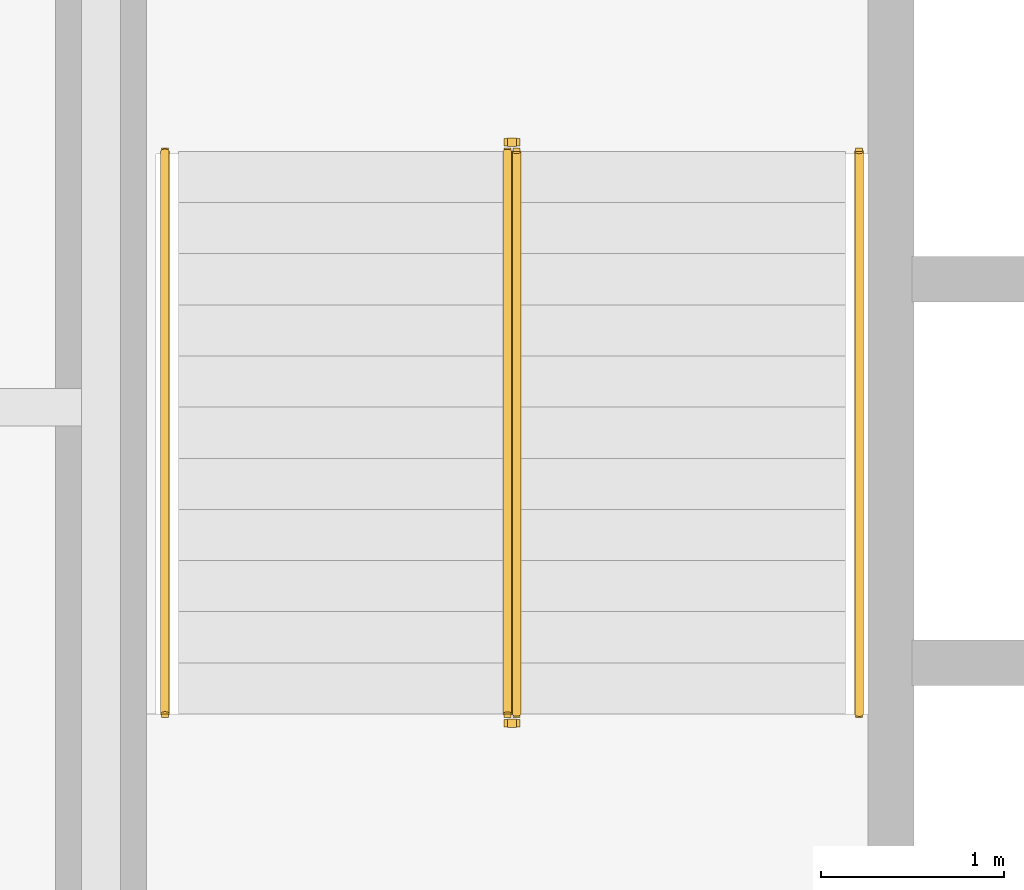
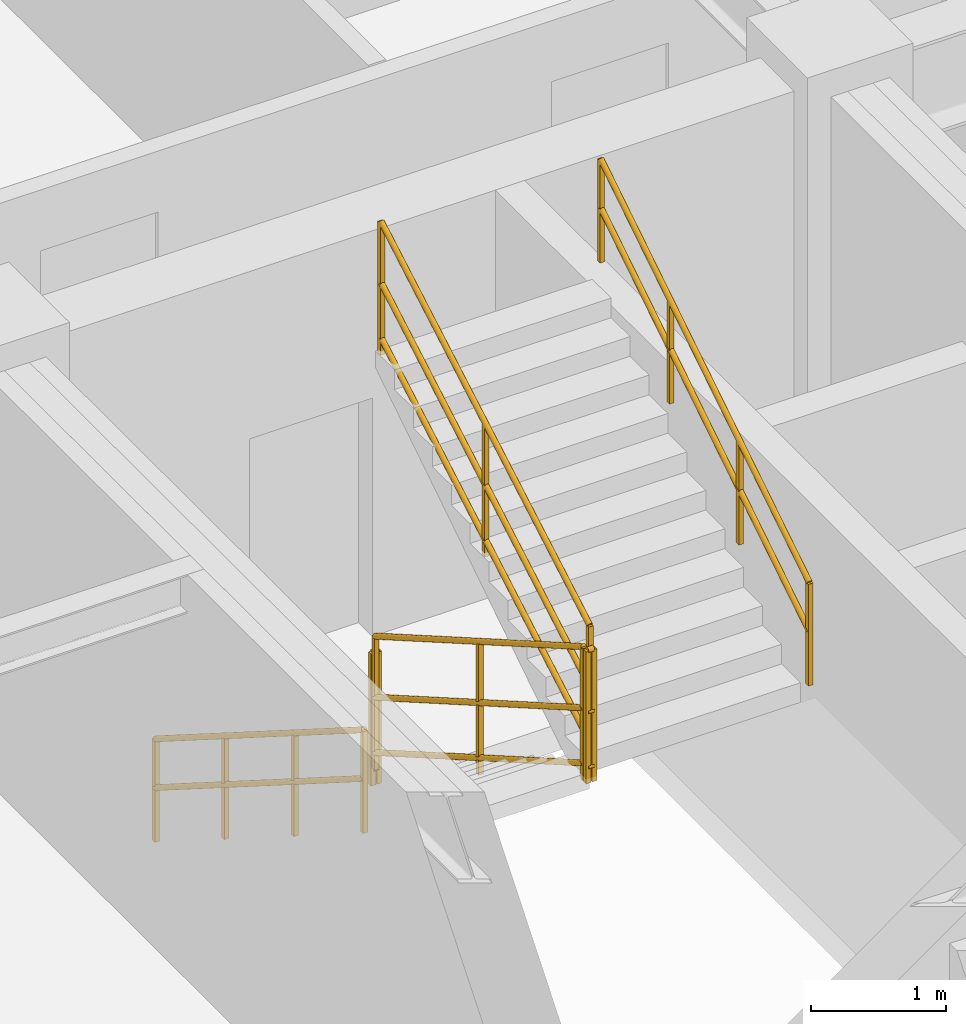
# One storey, part 11 of 11: 6 railings.
"""IFC4 building model written with IfcOpenShell, lengths in metres."""

from ifc_helpers import new_model, entity, si_unit, converted_unit, direction, frame, origin_with_axes, origin_2d_with_axis, place, context, subcontext, project, spatial, rectangle, circle, extrude, material, type_object, element, save


model = new_model("IFC4")

# Units and contexts
model_context = context("Model", 3, precision=1e-05, world=origin_with_axes(), true_north=direction((0.0, 1.0)))
body_context = subcontext(model_context, "Body", "Model", "MODEL_VIEW")
ifc_project = project(units=[si_unit("LENGTHUNIT", "METRE"), si_unit("AREAUNIT", "SQUARE_METRE"), si_unit("VOLUMEUNIT", "CUBIC_METRE"), converted_unit("PLANEANGLEUNIT", "DEGREE", entity("IfcPlaneAngleMeasure", 0.017453292519943295), si_unit("PLANEANGLEUNIT", "RADIAN"), dimensions=[0, 0, 0, 0, 0, 0, 0]), si_unit("MASSUNIT", "GRAM", prefix="KILO"), si_unit("THERMODYNAMICTEMPERATUREUNIT", "KELVIN")], contexts=[model_context])

# Site, building, storey
site_placement = place(None, origin_with_axes())
site = spatial("IfcSite", under=ifc_project, at=site_placement, CompositionType="ELEMENT")
building_placement = place(site_placement, origin_with_axes())
building = spatial("IfcBuilding", under=site, at=building_placement, Name="Varnlund Millrace Tower", CompositionType="ELEMENT")
storey_placement = place(building_placement, frame((0.0, 0.0, 192.6), z_axis=(0.0, 0.0, 1.0), x_axis=(1.0, 0.0, 0.0)))
storey = spatial("IfcBuildingStorey", under=building, at=storey_placement, Name="L47", CompositionType="ELEMENT", Elevation=192.6)

# Railings
ifc_material_1 = material(Name="Painted steel stair well balustrade guard", Category="steel")
railing_type_1 = type_object("IfcRailingType", Name="Type-StairGuard-1150", PredefinedType="GUARDRAIL", material=ifc_material_1)
railing_1_placement = place(storey_placement, frame((0.0, 0.0, -192.6), z_axis=(0.0, 0.0, 1.0), x_axis=(1.0, 0.0, 0.0)))
element("IfcRailing", 1, at=railing_1_placement, inside=storey, type_object=railing_type_1, Name="Type-StairGuard-1150", PredefinedType="GUARDRAIL", context=body_context, shape_type="SweptSolid", body=[
    extrude(circle(Radius=0.024, at=origin_2d_with_axis()), frame((13.625, 35.9, 193.927273), z_axis=(0.0, -0.866696, 0.498836), x_axis=(1.0, 0.0, 0.0)), (0.0, 0.0, 1.0), 3.553725),
    extrude(circle(Radius=0.024, at=origin_2d_with_axis()), frame((13.625, 35.9, 192.877273), z_axis=(0.0, -0.866696, 0.498836), x_axis=(1.0, 0.0, 0.0)), (0.0, 0.0, 1.0), 3.553725),
    extrude(circle(Radius=0.024, at=origin_2d_with_axis()), frame((13.625, 35.9, 193.375273), z_axis=(0.0, -0.866696, 0.498836), x_axis=(1.0, 0.0, 0.0)), (0.0, 0.0, 1.0), 3.553725),
    extrude(rectangle(XDim=0.04, YDim=0.04, at=origin_2d_with_axis()), frame((13.625, 35.9, 192.737273), z_axis=(0.0, 0.0, 1.0), x_axis=(1.0, 0.0, 0.0)), (0.0, 0.0, 1.0), 1.19),
    extrude(rectangle(XDim=0.04, YDim=0.04, at=origin_2d_with_axis()), frame((13.625, 34.36, 193.623636), z_axis=(0.0, 0.0, 1.0), x_axis=(1.0, 0.0, 0.0)), (0.0, 0.0, 1.0), 1.19),
    extrude(rectangle(XDim=0.04, YDim=0.04, at=origin_2d_with_axis()), frame((13.625, 32.82, 194.51), z_axis=(0.0, 0.0, 1.0), x_axis=(1.0, 0.0, 0.0)), (0.0, 0.0, 1.0), 1.19),
])
railing_2_placement = place(storey_placement, frame((0.0, 0.0, -192.6), z_axis=(0.0, 0.0, 1.0), x_axis=(1.0, 0.0, 0.0)))
element("IfcRailing", 2, at=railing_2_placement, inside=storey, type_object=railing_type_1, Name="Type-StairGuard-1150", PredefinedType="GUARDRAIL", context=body_context, shape_type="SweptSolid", body=[
    extrude(circle(Radius=0.024, at=origin_2d_with_axis()), frame((13.675, 32.77, 195.7), z_axis=(-1.0, 0.0, 0.0), x_axis=(0.0, -1.0, 0.0)), (0.0, 0.0, 1.0), 0.05),
    extrude(circle(Radius=0.024, at=origin_2d_with_axis()), frame((13.675, 32.77, 194.65), z_axis=(-1.0, 0.0, 0.0), x_axis=(0.0, -1.0, 0.0)), (0.0, 0.0, 1.0), 0.05),
    extrude(circle(Radius=0.024, at=origin_2d_with_axis()), frame((13.675, 32.77, 195.148), z_axis=(-1.0, 0.0, 0.0), x_axis=(0.0, -1.0, 0.0)), (0.0, 0.0, 1.0), 0.05),
    extrude(rectangle(XDim=0.04, YDim=0.04, at=origin_2d_with_axis()), frame((13.675, 32.77, 194.51), z_axis=(0.0, 0.0, 1.0), x_axis=(1.0, 0.0, 0.0)), (0.0, 0.0, 1.0), 1.19),
    extrude(rectangle(XDim=0.04, YDim=0.04, at=origin_2d_with_axis()), frame((13.625, 32.77, 194.51), z_axis=(0.0, 0.0, 1.0), x_axis=(1.0, 0.0, 0.0)), (0.0, 0.0, 1.0), 1.19),
])
railing_3_placement = place(storey_placement, frame((0.0, 0.0, -192.6), z_axis=(0.0, 0.0, 1.0), x_axis=(1.0, 0.0, 0.0)))
element("IfcRailing", 3, at=railing_3_placement, inside=storey, type_object=railing_type_1, Name="Type-StairGuard-1150", PredefinedType="GUARDRAIL", context=body_context, shape_type="SweptSolid", body=[
    extrude(circle(Radius=0.024, at=origin_2d_with_axis()), frame((13.675, 32.82, 195.877273), z_axis=(0.0, 0.866696, 0.498836), x_axis=(-1.0, 0.0, 0.0)), (0.0, 0.0, 1.0), 3.553725),
    extrude(circle(Radius=0.024, at=origin_2d_with_axis()), frame((13.675, 32.82, 194.827273), z_axis=(0.0, 0.866696, 0.498836), x_axis=(-1.0, 0.0, 0.0)), (0.0, 0.0, 1.0), 3.553725),
    extrude(circle(Radius=0.024, at=origin_2d_with_axis()), frame((13.675, 32.82, 195.325273), z_axis=(0.0, 0.866696, 0.498836), x_axis=(-1.0, 0.0, 0.0)), (0.0, 0.0, 1.0), 3.553725),
    extrude(rectangle(XDim=0.04, YDim=0.04, at=origin_2d_with_axis()), frame((13.675, 32.82, 194.687273), z_axis=(0.0, 0.0, 1.0), x_axis=(1.0, 0.0, 0.0)), (0.0, 0.0, 1.0), 1.19),
    extrude(rectangle(XDim=0.04, YDim=0.04, at=origin_2d_with_axis()), frame((13.675, 34.36, 195.573636), z_axis=(0.0, 0.0, 1.0), x_axis=(1.0, 0.0, 0.0)), (0.0, 0.0, 1.0), 1.19),
    extrude(rectangle(XDim=0.04, YDim=0.04, at=origin_2d_with_axis()), frame((13.675, 35.9, 196.46), z_axis=(0.0, 0.0, 1.0), x_axis=(1.0, 0.0, 0.0)), (0.0, 0.0, 1.0), 1.19),
])
railing_4_placement = place(storey_placement, frame((0.0, 0.0, -192.6), z_axis=(0.0, 0.0, 1.0), x_axis=(1.0, 0.0, 0.0)))
element("IfcRailing", 4, at=railing_4_placement, inside=storey, type_object=railing_type_1, Name="Type-StairGuard-1150", PredefinedType="GUARDRAIL", context=body_context, shape_type="SweptSolid", body=[
    extrude(circle(Radius=0.024, at=origin_2d_with_axis()), frame((13.675, 35.95, 193.75), z_axis=(-1.0, 0.0, 0.0), x_axis=(0.0, -1.0, 0.0)), (0.0, 0.0, 1.0), 0.05),
    extrude(circle(Radius=0.024, at=origin_2d_with_axis()), frame((13.675, 35.95, 192.7), z_axis=(-1.0, 0.0, 0.0), x_axis=(0.0, -1.0, 0.0)), (0.0, 0.0, 1.0), 0.05),
    extrude(circle(Radius=0.024, at=origin_2d_with_axis()), frame((13.675, 35.95, 193.198), z_axis=(-1.0, 0.0, 0.0), x_axis=(0.0, -1.0, 0.0)), (0.0, 0.0, 1.0), 0.05),
    extrude(rectangle(XDim=0.04, YDim=0.04, at=origin_2d_with_axis()), frame((13.675, 35.95, 192.56), z_axis=(0.0, 0.0, 1.0), x_axis=(1.0, 0.0, 0.0)), (0.0, 0.0, 1.0), 1.19),
    extrude(rectangle(XDim=0.04, YDim=0.04, at=origin_2d_with_axis()), frame((13.625, 35.95, 192.56), z_axis=(0.0, 0.0, 1.0), x_axis=(1.0, 0.0, 0.0)), (0.0, 0.0, 1.0), 1.19),
])
ifc_material_2 = material(Name="Brushed architectural bronze stair handrail", Category="aluminium")
railing_type_2 = type_object("IfcRailingType", Name="Type-StairHandrail-900", PredefinedType="HANDRAIL", material=ifc_material_2)
railing_5_placement = place(storey_placement, frame((0.0, 0.0, -192.6), z_axis=(0.0, 0.0, 1.0), x_axis=(1.0, 0.0, 0.0)))
element("IfcRailing", 5, at=railing_5_placement, inside=storey, type_object=railing_type_2, Name="Type-StairHandrail-900", PredefinedType="HANDRAIL", context=body_context, shape_type="SweptSolid", body=[
    extrude(circle(Radius=0.024, at=origin_2d_with_axis()), frame((11.75, 35.9, 193.656995), z_axis=(0.0, -0.844902, 0.534922), x_axis=(1.0, 0.0, 0.0)), (0.0, 0.0, 1.0), 3.645394),
    extrude(circle(Radius=0.024, at=origin_2d_with_axis()), frame((11.75, 35.9, 193.217134), z_axis=(0.0, -0.844902, 0.534922), x_axis=(1.0, 0.0, 0.0)), (0.0, 0.0, 1.0), 3.645394),
    extrude(rectangle(XDim=0.04, YDim=0.04, at=origin_2d_with_axis()), frame((11.75, 35.9, 192.737273), z_axis=(0.0, 0.0, 1.0), x_axis=(1.0, 0.0, 0.0)), (0.0, 0.0, 1.0), 0.919722),
    extrude(rectangle(XDim=0.04, YDim=0.04, at=origin_2d_with_axis()), frame((11.75, 34.873333, 193.387273), z_axis=(0.0, 0.0, 1.0), x_axis=(1.0, 0.0, 0.0)), (0.0, 0.0, 1.0), 0.919722),
    extrude(rectangle(XDim=0.04, YDim=0.04, at=origin_2d_with_axis()), frame((11.75, 33.846667, 194.037273), z_axis=(0.0, 0.0, 1.0), x_axis=(1.0, 0.0, 0.0)), (0.0, 0.0, 1.0), 0.919722),
    extrude(rectangle(XDim=0.04, YDim=0.04, at=origin_2d_with_axis()), frame((11.75, 32.82, 194.687273), z_axis=(0.0, 0.0, 1.0), x_axis=(1.0, 0.0, 0.0)), (0.0, 0.0, 1.0), 0.919722),
])
railing_6_placement = place(storey_placement, frame((0.0, 0.0, -192.6), z_axis=(0.0, 0.0, 1.0), x_axis=(1.0, 0.0, 0.0)))
element("IfcRailing", 6, at=railing_6_placement, inside=storey, type_object=railing_type_2, Name="Type-StairHandrail-900", PredefinedType="HANDRAIL", context=body_context, shape_type="SweptSolid", body=[
    extrude(circle(Radius=0.024, at=origin_2d_with_axis()), frame((15.55, 32.82, 195.606995), z_axis=(0.0, 0.844902, 0.534922), x_axis=(-1.0, 0.0, 0.0)), (0.0, 0.0, 1.0), 3.645394),
    extrude(circle(Radius=0.024, at=origin_2d_with_axis()), frame((15.55, 32.82, 195.167134), z_axis=(0.0, 0.844902, 0.534922), x_axis=(-1.0, 0.0, 0.0)), (0.0, 0.0, 1.0), 3.645394),
    extrude(rectangle(XDim=0.04, YDim=0.04, at=origin_2d_with_axis()), frame((15.55, 32.82, 194.687273), z_axis=(0.0, 0.0, 1.0), x_axis=(1.0, 0.0, 0.0)), (0.0, 0.0, 1.0), 0.919722),
    extrude(rectangle(XDim=0.04, YDim=0.04, at=origin_2d_with_axis()), frame((15.55, 33.846667, 195.337273), z_axis=(0.0, 0.0, 1.0), x_axis=(1.0, 0.0, 0.0)), (0.0, 0.0, 1.0), 0.919722),
    extrude(rectangle(XDim=0.04, YDim=0.04, at=origin_2d_with_axis()), frame((15.55, 34.873333, 195.987273), z_axis=(0.0, 0.0, 1.0), x_axis=(1.0, 0.0, 0.0)), (0.0, 0.0, 1.0), 0.919722),
    extrude(rectangle(XDim=0.04, YDim=0.04, at=origin_2d_with_axis()), frame((15.55, 35.9, 196.637273), z_axis=(0.0, 0.0, 1.0), x_axis=(1.0, 0.0, 0.0)), (0.0, 0.0, 1.0), 0.919722),
])

save(model, "model.ifc")
